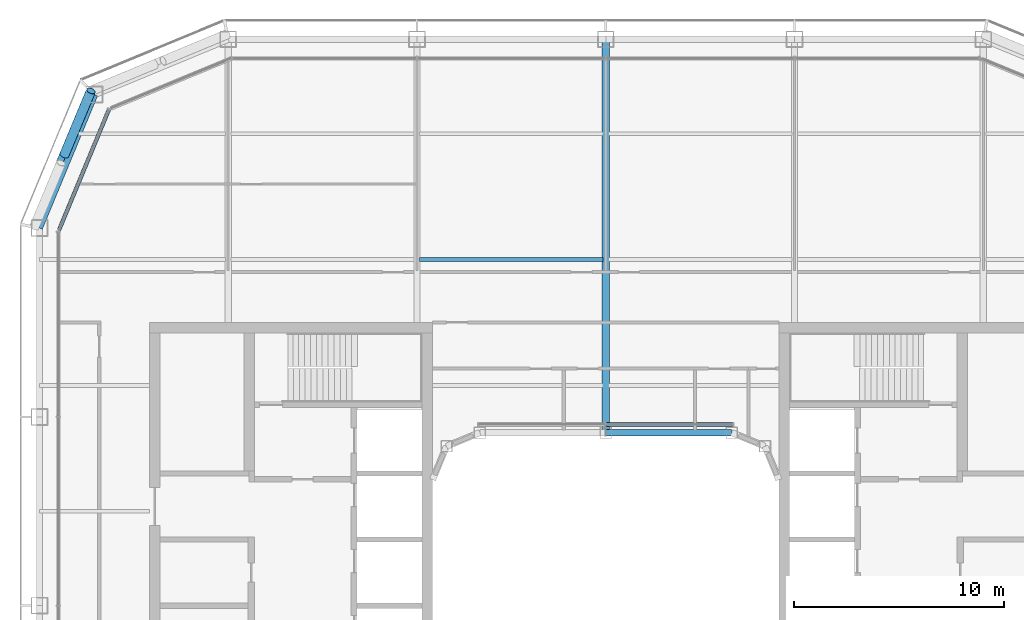
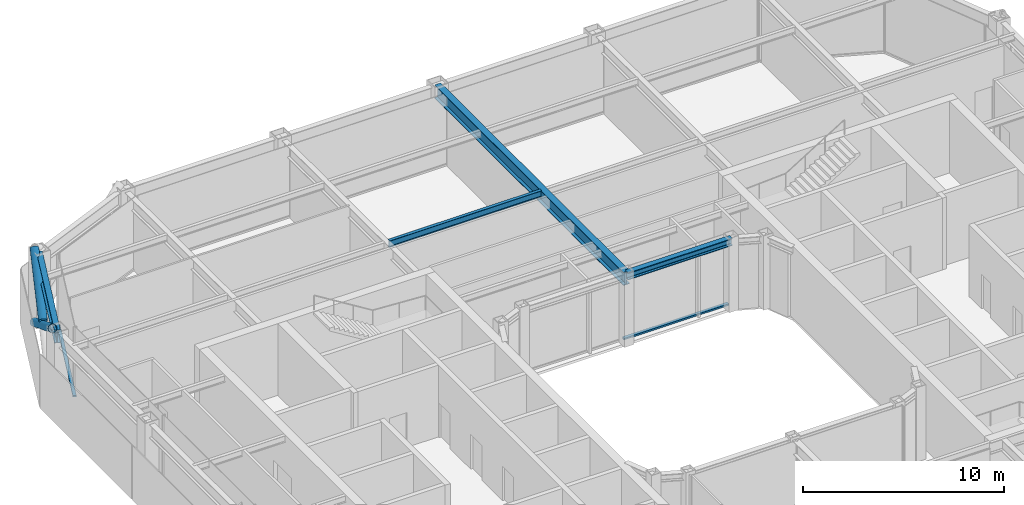
# One storey, part 7 of 19: 4 beams, 4 members, 2 elements without a shape of their own.
"""IFC4 building model written with IfcOpenShell, lengths in metres."""

from ifc_helpers import new_model, si_unit, direction, frame, origin, origin_2d, place, context, subcontext, project, spatial, rectangle, hollow_circle, i_section, extrude, material, layer, layer_set, material_profile, profile_set, type_object, element, aggregate, save


model = new_model("IFC4")

# Units and contexts
model_context = context("Model", 3, precision=1e-05, world=origin(), true_north=direction((0.0, 1.0)))
body_context = subcontext(model_context, "Body", "Model", "MODEL_VIEW")
ifc_project = project(units=[si_unit("LENGTHUNIT", "METRE"), si_unit("AREAUNIT", "SQUARE_METRE"), si_unit("VOLUMEUNIT", "CUBIC_METRE"), si_unit("PLANEANGLEUNIT", "RADIAN"), si_unit("MASSUNIT", "GRAM", prefix="KILO")], contexts=[model_context])

# Site, building, storey
site_placement = place(None, origin())
site = spatial("IfcSite", under=ifc_project, at=site_placement, CompositionType="ELEMENT")
building_placement = place(site_placement, origin())
building = spatial("IfcBuilding", under=site, at=building_placement, Name="Siwar Civic Tower", CompositionType="ELEMENT")
storey_placement = place(building_placement, frame((0.0, 0.0, 246.699951171875)))
storey = spatial("IfcBuildingStorey", under=building, at=storey_placement, Name="L53", CompositionType="ELEMENT", Elevation=246.699951171875)

# Curtain wall, member
ifc_material_1 = material(Name="Aluminium clad insulated panel", Category="aluminium")
ifc_layer_1 = layer(ifc_material_1, 0.179931640625)
ifc_layer_set_1 = layer_set([ifc_layer_1], Name="Aluminium clad insulated panel")
curtain_wall_type_1 = type_object("IfcCurtainWallType", Name="ENV-CW-CX", PredefinedType="NOTDEFINED", material=ifc_layer_set_1)
curtain_wall_1_placement = place(storey_placement, origin())
curtain_wall_1 = element("IfcCurtainWall", 1, at=curtain_wall_1_placement, inside=storey, type_object=curtain_wall_type_1, Name="Curtain wall C NW2", PredefinedType="NOTDEFINED")
ifc_material_2 = material(Name="Aluminium 6063-T6", Category="aluminium")
ifc_material_profile_1 = material_profile(ifc_material_2, rectangle(XDim=0.179931640625, YDim=0.10009765625, at=origin_2d()), Name="AL 180x100")
ifc_profile_set_1 = profile_set([ifc_material_profile_1], Name="Aluminium 6063-T6")
member_type_1 = type_object("IfcMemberType", Name="ENV-TRANSOM-C", PredefinedType="USERDEFINED", material=ifc_profile_set_1)
member_1_placement = place(storey_placement, frame((-23.6865234375, 23.6474609375, 0.050048828125), z_axis=(-0.382691366456, -0.923876246063, 0.0), x_axis=(0.923876246063, -0.382691366456, 0.0)))
member_1 = element("IfcMember", 2, at=member_1_placement, type_object=member_type_1, Name="Transom C NW2 1", ObjectType="TRANSOM", PredefinedType="USERDEFINED", context=body_context, shape_type="SweptSolid", body=[
    extrude(rectangle(XDim=0.179931640625, YDim=0.10009765625, at=origin_2d()), origin(), (0.0, 0.0, 1.0), 6.20166015625),
])
aggregate(curtain_wall_1, [member_1])

ifc_material_3 = material(Name="Aluminium and glass", Category="aluminium")
ifc_layer_2 = layer(ifc_material_3, 0.179931640625)
ifc_layer_set_2 = layer_set([ifc_layer_2], Name="Aluminium and glass")
curtain_wall_type_2 = type_object("IfcCurtainWallType", Name="ENV-CW-W", PredefinedType="NOTDEFINED", material=ifc_layer_set_2)
curtain_wall_2_placement = place(storey_placement, origin())
curtain_wall_2 = element("IfcCurtainWall", 3, at=curtain_wall_2_placement, inside=storey, type_object=curtain_wall_type_2, Name="Curtain wall W WN", PredefinedType="NOTDEFINED")
ifc_material_4 = material(Name="Aluminium 6063-T6", Category="aluminium")
ifc_material_profile_2 = material_profile(ifc_material_4, rectangle(XDim=0.179931640625, YDim=0.10009765625, at=origin_2d()), Name="AL 180x100")
ifc_profile_set_2 = profile_set([ifc_material_profile_2], Name="Aluminium 6063-T6")
member_type_2 = type_object("IfcMemberType", Name="ENV-TRANSOM-W", PredefinedType="USERDEFINED", material=ifc_profile_set_2)
member_2_placement = place(storey_placement, frame((6.046630859375, 8.635009765625, 0.050048828125), z_axis=(-1.0, 0.0, 0.0), x_axis=(0.0, -1.0, 0.0)))
member_2 = element("IfcMember", 4, at=member_2_placement, type_object=member_type_2, Name="Transom W WN 1", ObjectType="TRANSOM", PredefinedType="USERDEFINED", context=body_context, shape_type="SweptSolid", body=[
    extrude(rectangle(XDim=0.179931640625, YDim=0.10009765625, at=origin_2d()), origin(), (0.0, 0.0, 1.0), 6.0166015625),
])
aggregate(curtain_wall_2, [member_2])

# Members
ifc_material_5 = material(Name="Steel S355", Category="steel")
ifc_material_profile_3 = material_profile(ifc_material_5, hollow_circle(Radius=0.228515625, WallThickness=0.02001953125, at=origin_2d()), Name="CHS457x20")
ifc_profile_set_3 = profile_set([ifc_material_profile_3], Name="Steel S355")
member_type_3 = type_object("IfcMemberType", Name="STR-BR-CHS457x20", PredefinedType="BRACE", material=ifc_profile_set_3)
member_3_placement = place(storey_placement, frame((-24.540771484375, 24.540771484375, 0.0), z_axis=(-0.323905527954, -0.777554562952, 0.538975055633), x_axis=(0.923108759191, -0.384538969033, 0.0)))
element("IfcMember", 5, at=member_3_placement, inside=storey, type_object=member_type_3, Name="L53/brc/CNW1-13-0-1", PredefinedType="BRACE", context=body_context, shape_type="SweptSolid", body=[
    extrude(hollow_circle(Radius=0.228515625, WallThickness=0.02001953125, at=origin_2d()), origin(), (0.0, 0.0, 1.0), 8.34912109375),
])
member_4_placement = place(storey_placement, frame((-25.81298828125, 21.486572265625, 2.383056640625), z_axis=(0.323895306243, 0.777572496853, 0.538955325357), x_axis=(-0.92311621485, 0.38452107079, 0.0)))
element("IfcMember", 6, at=member_4_placement, inside=storey, type_object=member_type_3, Name="L53/brc/CNW1-13-0-3", PredefinedType="BRACE", context=body_context, shape_type="SweptSolid", body=[
    extrude(hollow_circle(Radius=0.228515625, WallThickness=0.02001953125, at=origin_2d()), origin(), (0.0, 0.0, 1.0), 3.927978515625),
])

# Beams
ifc_material_6 = material(Name="Steel S355", Category="steel")
ifc_material_profile_4 = material_profile(ifc_material_6, i_section(OverallWidth=0.179931640625, OverallDepth=0.39990234375, WebThickness=0.008544921875, FlangeThickness=0.013427734375, FilletRadius=0.02099609375, at=origin_2d()), Name="IPE400")
ifc_profile_set_4 = profile_set([ifc_material_profile_4], Name="Steel S355")
beam_type_1 = type_object("IfcBeamType", Name="STR-FB-IPE400", PredefinedType="JOIST", material=ifc_profile_set_4)
beam_1_placement = place(storey_placement, frame((-8.8701171875, 16.5, 4.150146484375), z_axis=(1.0, 0.0, 0.0), x_axis=(0.0, 1.0, 0.0)))
element("IfcBeam", 7, at=beam_1_placement, inside=storey, type_object=beam_type_1, Name="L53/bm/F033", PredefinedType="JOIST", context=body_context, shape_type="SweptSolid", body=[
    extrude(i_section(OverallWidth=0.179931640625, OverallDepth=0.39990234375, WebThickness=0.008544921875, FlangeThickness=0.013427734375, FilletRadius=0.02099609375, at=origin_2d()), origin(), (0.0, 0.0, 1.0), 8.740234375),
])
ifc_material_7 = material(Name="Steel S355", Category="steel")
ifc_material_profile_5 = material_profile(ifc_material_7, i_section(OverallWidth=0.360107421875, OverallDepth=0.800048828125, WebThickness=0.013916015625, FlangeThickness=0.031982421875, at=origin_2d()), Name="PG800x360x14x32")
ifc_profile_set_5 = profile_set([ifc_material_profile_5], Name="Steel S355")
beam_type_2 = type_object("IfcBeamType", Name="STR-PG-PG800x360x14x32", PredefinedType="BEAM", material=ifc_profile_set_5)
beam_2_placement = place(storey_placement, frame((0.0, 8.25, 3.949951171875), z_axis=(0.0, 1.0, 0.0), x_axis=(-1.0, 0.0, 0.0)))
element("IfcBeam", 8, at=beam_2_placement, inside=storey, type_object=beam_type_2, Name="L53/bm/G06", PredefinedType="BEAM", context=body_context, shape_type="SweptSolid", body=[
    extrude(i_section(OverallWidth=0.360107421875, OverallDepth=0.800048828125, WebThickness=0.013916015625, FlangeThickness=0.031982421875, at=origin_2d()), origin(), (0.0, 0.0, 1.0), 18.75),
])
ifc_material_8 = material(Name="Steel S355", Category="steel")
ifc_material_profile_6 = material_profile(ifc_material_8, i_section(OverallWidth=0.306884765625, OverallDepth=0.431884765625, WebThickness=0.02099609375, FlangeThickness=0.0400390625, FilletRadius=0.027099609375, at=origin_2d()), Name="HEM400")
ifc_profile_set_6 = profile_set([ifc_material_profile_6], Name="Steel S355")
beam_type_3 = type_object("IfcBeamType", Name="STR-RB-HEM400", PredefinedType="BEAM", material=ifc_profile_set_6)
beam_3_placement = place(storey_placement, frame((0.0, 8.25, 4.134033203125), z_axis=(1.0, 0.0, 0.0), x_axis=(0.0, 1.0, 0.0)))
element("IfcBeam", 9, at=beam_3_placement, inside=storey, type_object=beam_type_3, Name="L53/bm/RN2", PredefinedType="BEAM", context=body_context, shape_type="SweptSolid", body=[
    extrude(i_section(OverallWidth=0.306884765625, OverallDepth=0.431884765625, WebThickness=0.02099609375, FlangeThickness=0.0400390625, FilletRadius=0.027099609375, at=origin_2d()), origin(), (0.0, 0.0, 1.0), 6.0),
])
ifc_material_9 = material(Name="Steel S355", Category="steel")
ifc_material_profile_7 = material_profile(ifc_material_9, i_section(OverallWidth=0.300048828125, OverallDepth=0.800048828125, WebThickness=0.017578125, FlangeThickness=0.032958984375, FilletRadius=0.030029296875, at=origin_2d()), Name="HEB800")
ifc_profile_set_7 = profile_set([ifc_material_profile_7], Name="Steel S355")
beam_type_4 = type_object("IfcBeamType", Name="STR-SB-HEB800", PredefinedType="BEAM", material=ifc_profile_set_7)
beam_4_placement = place(storey_placement, frame((-24.364013671875, 24.364013671875, 3.949951171875), z_axis=(-0.382674207535, -0.923883353507, 0.0), x_axis=(0.923883353507, -0.382674207535, 0.0)))
element("IfcBeam", 10, at=beam_4_placement, inside=storey, type_object=beam_type_4, Name="L53/bm/SNW2-0", PredefinedType="BEAM", context=body_context, shape_type="SweptSolid", body=[
    extrude(i_section(OverallWidth=0.300048828125, OverallDepth=0.800048828125, WebThickness=0.017578125, FlangeThickness=0.032958984375, FilletRadius=0.030029296875, at=origin_2d()), origin(), (0.0, 0.0, 1.0), 6.888427734375),
])

save(model, "model.ifc")
